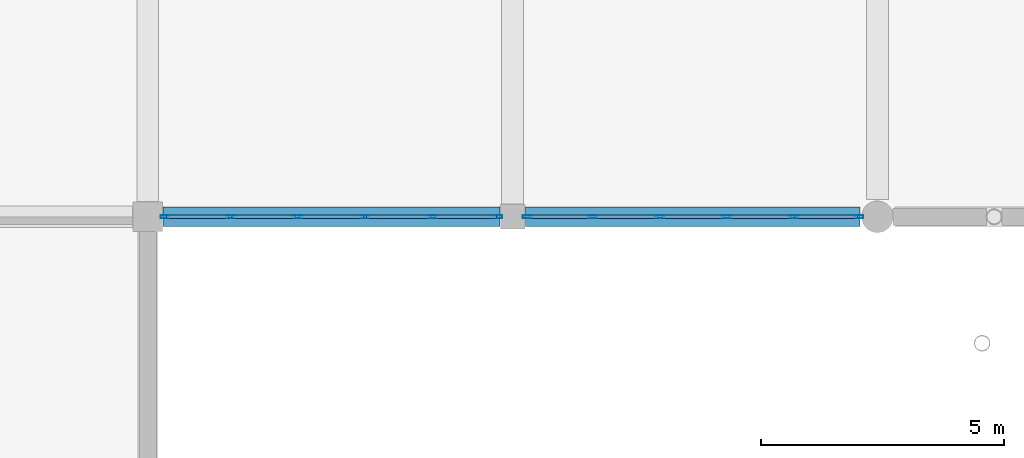
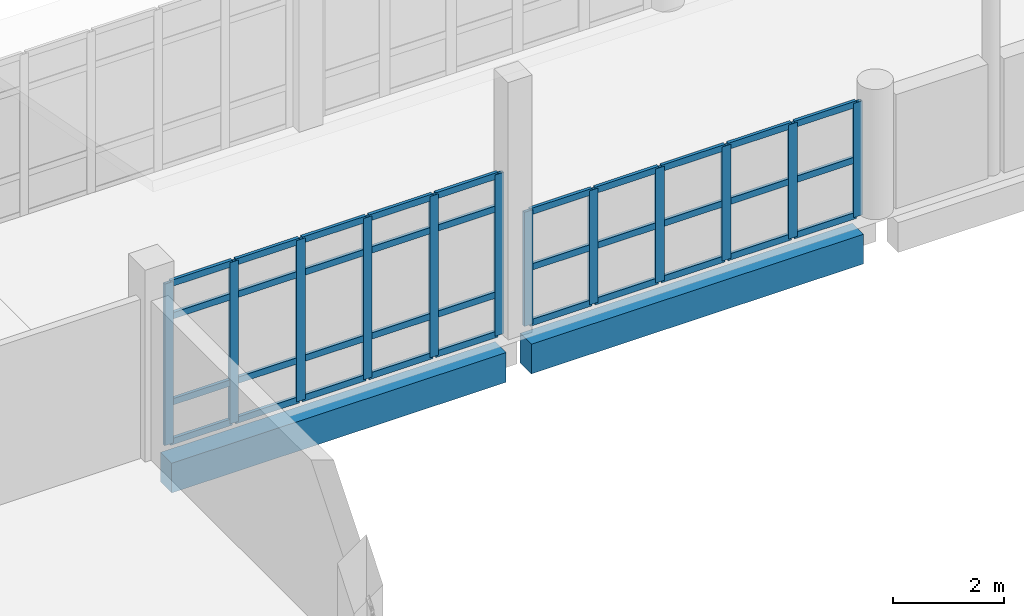
# One storey, part 45 of 164: 47 members, 2 beams, 2 elements without a shape of their own.
"""IFC4 building model written with IfcOpenShell, lengths in metres."""

import ifcopenshell
import ifcopenshell.guid

model = None  # the IFC model being written
_history = None  # IfcOwnerHistory: only IFC2X3 demands one
_inside = {}  # id of a spatial element -> (the spatial element, [elements in it])
_under = {}  # id of a project, library or spatial element -> (it, [spatial elements below it])
_declared = {}  # id of a project -> (the project, [libraries it declares])
_typed = {}  # id of a type object -> (the type object, [elements of that type])
_made_of = {}  # id of a material, layer set ... -> (it, [elements and type objects made of it])


def new_model(schema):
    """Start an empty IFC model of exactly this schema.

    Asked for "IFC4X3", IfcOpenShell would pick the latest addendum, in which some entities
    have other attributes; the version numbers below select the first issue.
    IFC2X3 requires an IfcOwnerHistory on every rooted entity: one is made here for all.
    """
    global model, _history
    if schema == "IFC4X3":
        model = ifcopenshell.file(schema_version=(4, 3, 0, 0))
    else:
        model = ifcopenshell.file(schema=schema)
    _inside.clear()
    _under.clear()
    _declared.clear()
    _typed.clear()
    _made_of.clear()
    _history = None
    if model.schema == "IFC2X3":
        org = make("IfcOrganization", Name="unknown")
        user = make(
            "IfcPersonAndOrganization",
            ThePerson=make("IfcPerson", FamilyName="unknown"),
            TheOrganization=org,
        )
        app = make(
            "IfcApplication",
            ApplicationDeveloper=org,
            Version="unknown",
            ApplicationFullName="unknown",
            ApplicationIdentifier="unknown",
        )
        _history = make(
            "IfcOwnerHistory",
            OwningUser=user,
            OwningApplication=app,
            ChangeAction="ADDED",
            CreationDate=0,
        )
    return model


def make(cls, **values):
    """One entity of the class cls with the attributes given. An attribute that is None is left unset."""
    return model.create_entity(
        cls, **{name: value for name, value in values.items() if value is not None}
    )


def rooted(cls, **values):
    """An entity with a GlobalId (a new one), such as an element, a storey or a relation."""
    return make(cls, GlobalId=ifcopenshell.guid.new(), OwnerHistory=_history, **values)


def si_unit(unit_type, name, prefix=None):
    """IfcSIUnit, for example si_unit("LENGTHUNIT", "METRE", prefix="MILLI")."""
    return make("IfcSIUnit", UnitType=unit_type, Prefix=prefix, Name=name)


def assignment(units):
    """IfcUnitAssignment: the units of a project."""
    return None if units is None else make("IfcUnitAssignment", Units=units)


def point(xyz):
    """IfcCartesianPoint."""
    return None if xyz is None else make("IfcCartesianPoint", Coordinates=xyz)


def direction(xyz):
    """IfcDirection."""
    return None if xyz is None else make("IfcDirection", DirectionRatios=xyz)


def frame(location, z_axis=None, x_axis=None):
    """IfcAxis2Placement3D, a coordinate frame: its origin and axes. An axis left out is left unset."""
    return make(
        "IfcAxis2Placement3D",
        Location=point(location),
        Axis=direction(z_axis),
        RefDirection=direction(x_axis),
    )


def frame_2d(location, x_axis=None):
    """IfcAxis2Placement2D, a coordinate frame in the plane: its origin and x axis."""
    return make(
        "IfcAxis2Placement2D", Location=point(location), RefDirection=direction(x_axis)
    )


def origin():
    """The frame at (0, 0, 0) with its axes left unset."""
    return frame((0.0, 0.0, 0.0))


def origin_2d():
    """The frame at (0, 0) in the plane with its x axis left unset."""
    return frame_2d((0.0, 0.0))


def place(relative_to, where):
    """IfcLocalPlacement: puts the frame where relative to a parent placement (None: the world)."""
    return make(
        "IfcLocalPlacement", PlacementRelTo=relative_to, RelativePlacement=where
    )


def context(
    kind, dimensions, precision=None, world=None, true_north=None, identifier=None
):
    """IfcGeometricRepresentationContext, for example the 3D "Model" context."""
    return make(
        "IfcGeometricRepresentationContext",
        ContextIdentifier=identifier,
        ContextType=kind,
        CoordinateSpaceDimension=dimensions,
        Precision=precision,
        WorldCoordinateSystem=world,
        TrueNorth=true_north,
    )


def subcontext(parent, identifier, kind, view, scale=None):
    """IfcGeometricRepresentationSubContext, for example "Body" below "Model"."""
    return make(
        "IfcGeometricRepresentationSubContext",
        ContextIdentifier=identifier,
        ContextType=kind,
        ParentContext=parent,
        TargetScale=scale,
        TargetView=view,
    )


def project(units=None, contexts=None):
    """IfcProject with its units and contexts."""
    return rooted(
        "IfcProject",
        Name="project",
        RepresentationContexts=contexts,
        UnitsInContext=assignment(units),
    )


def spatial(cls, under=None, at=None, **own):
    """A site, building, storey or space (cls), placed at a placement, below another one or the project."""
    s = rooted(cls, ObjectPlacement=at, **own)
    if under is not None:
        _under.setdefault(under.id(), (under, []))[1].append(s)
    return s


def profile(cls, at=None, kind="AREA", **sizes):
    """A parametric profile (cls). Its sizes go by their IFC names, for example OverallWidth=200.0."""
    return make(cls, ProfileType=kind, Position=at, **sizes)


def rectangle(**sizes):
    """IfcRectangleProfileDef."""
    return profile("IfcRectangleProfileDef", **sizes)


def hollow_rectangle(**sizes):
    """IfcRectangleHollowProfileDef."""
    return profile("IfcRectangleHollowProfileDef", **sizes)


def extrude(swept, where, along, depth):
    """IfcExtrudedAreaSolid: the profile swept, set in the frame where, extruded along a direction by depth."""
    return make(
        "IfcExtrudedAreaSolid",
        SweptArea=swept,
        Position=where,
        ExtrudedDirection=direction(along),
        Depth=depth,
    )


def shape(context_of_items, identifier, shape_type, items):
    """IfcShapeRepresentation: the items that make up one representation, for example the "Body"."""
    return make(
        "IfcShapeRepresentation",
        ContextOfItems=context_of_items,
        RepresentationIdentifier=identifier,
        RepresentationType=shape_type,
        Items=items,
    )


def material(Name=None, Category=None):
    """IfcMaterial."""
    return make("IfcMaterial", Name=Name, Category=Category)


def layer(
    of_material, thickness, ventilated=None, Name=None, Category=None, Priority=None
):
    """IfcMaterialLayer: one layer of a wall or slab, of a material (None: an air gap)."""
    return make(
        "IfcMaterialLayer",
        Material=of_material,
        LayerThickness=thickness,
        IsVentilated=ventilated,
        Name=Name,
        Category=Category,
        Priority=Priority,
    )


def layer_set(layers, Name=None):
    """IfcMaterialLayerSet."""
    return make("IfcMaterialLayerSet", MaterialLayers=layers, LayerSetName=Name)


def material_profile(
    of_material, cross_section, Name=None, Category=None, Priority=None
):
    """IfcMaterialProfile: a cross section and its material."""
    return make(
        "IfcMaterialProfile",
        Name=Name,
        Material=of_material,
        Profile=cross_section,
        Priority=Priority,
        Category=Category,
    )


def profile_set(profiles, Name=None, composite=None):
    """IfcMaterialProfileSet."""
    return make(
        "IfcMaterialProfileSet",
        Name=Name,
        MaterialProfiles=profiles,
        CompositeProfile=composite,
    )


def made_of(thing, what):
    """Note that an element or type object is made of a material, layer set ...; save() writes the relation."""
    if what is not None:
        _made_of.setdefault(what.id(), (what, []))[1].append(thing)
    return thing


def type_object(cls, material=None, **own):
    """A type object (cls), such as IfcWallType, which elements share."""
    return made_of(rooted(cls, **own), material)


def element(
    cls,
    number,
    at=None,
    inside=None,
    cuts=None,
    type_object=None,
    material=None,
    context=None,
    identifier="Body",
    shape_type=None,
    held_by="IfcProductDefinitionShape",
    body=None,
    shapes=None,
    **own,
):
    """One element of the class cls, such as IfcWall. Its Tag is "e" and its number.

    at: its placement. inside: the storey or other place that contains it. cuts: it is an
    opening in that element (IfcRelVoidsElement). A single representation is given by context,
    identifier, shape_type and body (its items); several are given by shapes. held_by: the class
    of the entity that holds the representations. save() writes the other relations.
    """
    e = rooted(cls, Tag="e%d" % number, ObjectPlacement=at, **own)
    if body is not None:
        shapes = [shape(context, identifier, shape_type, body)]
    if shapes is not None:
        e.Representation = make(held_by, Representations=shapes)
    if inside is not None:
        _inside.setdefault(inside.id(), (inside, []))[1].append(e)
    if cuts is not None:
        rooted(
            "IfcRelVoidsElement", RelatingBuildingElement=cuts, RelatedOpeningElement=e
        )
    if type_object is not None:
        _typed.setdefault(type_object.id(), (type_object, []))[1].append(e)
    return made_of(e, material)


def aggregate(whole, parts):
    """IfcRelAggregates: a whole, such as a stair, and the parts it consists of."""
    return rooted("IfcRelAggregates", RelatingObject=whole, RelatedObjects=parts)


def save(model, path):
    """Write the relations noted so far, then the file.

    IfcRelAggregates (storeys below a building ...), IfcRelContainedInSpatialStructure (elements
    in a storey), IfcRelDefinesByType, IfcRelAssociatesMaterial and IfcRelDeclares: one each for
    every whole, place, type object, material and project.
    """
    for whole, parts in _under.values():
        aggregate(whole, parts)
    for where, things in _inside.values():
        rooted(
            "IfcRelContainedInSpatialStructure",
            RelatedElements=things,
            RelatingStructure=where,
        )
    for kind, things in _typed.values():
        rooted("IfcRelDefinesByType", RelatedObjects=things, RelatingType=kind)
    for what, things in _made_of.values():
        rooted("IfcRelAssociatesMaterial", RelatedObjects=things, RelatingMaterial=what)
    for by, libraries in _declared.values():
        rooted("IfcRelDeclares", RelatingContext=by, RelatedDefinitions=libraries)
    model.write(path)


model = new_model("IFC4")

# Units and contexts
model_context = context("Model", 3, precision=1e-05, world=origin(), true_north=direction((0.0, 1.0)))
body_context = subcontext(model_context, "Body", "Model", "MODEL_VIEW")
ifc_project = project(units=[si_unit("LENGTHUNIT", "METRE"), si_unit("AREAUNIT", "SQUARE_METRE"), si_unit("VOLUMEUNIT", "CUBIC_METRE"), si_unit("PLANEANGLEUNIT", "RADIAN"), si_unit("MASSUNIT", "GRAM", prefix="KILO")], contexts=[model_context])

# Site, building, storey
site_placement = place(None, origin())
site = spatial("IfcSite", under=ifc_project, at=site_placement, CompositionType="ELEMENT")
building_placement = place(site_placement, origin())
building = spatial("IfcBuilding", under=site, at=building_placement, Name="Mawjan Specialist Oncology Clinic", CompositionType="ELEMENT")
storey_placement = place(building_placement, frame((0.0, 0.0, 5.0)))
storey = spatial("IfcBuildingStorey", under=building, at=storey_placement, Name="L01", CompositionType="ELEMENT", Elevation=5.0)

# Curtain wall, members
ifc_material_1 = material(Name="Unitised spectrally selective aluminium curtain wall", Category="aluminium")
ifc_layer_1 = layer(ifc_material_1, 0.179931640625, Name="Unitised spectrally selective aluminium curtain wall", Category="aluminium")
ifc_layer_set_1 = layer_set([ifc_layer_1], Name="Unitised spectrally selective aluminium curtain wall")
curtain_wall_type_1 = type_object("IfcCurtainWallType", Name="CW-70", PredefinedType="NOTDEFINED", material=ifc_layer_set_1)
curtain_wall_1_placement = place(storey_placement, origin())
curtain_wall_1 = element("IfcCurtainWall", 1, at=curtain_wall_1_placement, inside=storey, type_object=curtain_wall_type_1, Name="L01 Unitised Curtain Wall CW-L01-138", PredefinedType="NOTDEFINED")
ifc_material_2 = material(Name="Thermally broken aluminium 6063-T6", Category="aluminium")
ifc_material_profile_1 = material_profile(ifc_material_2, hollow_rectangle(XDim=0.06494140625, YDim=0.179931640625, WallThickness=0.00390625, at=origin_2d()), Name="ALU MULLION 180x65x4", Category="aluminium")
ifc_profile_set_1 = profile_set([ifc_material_profile_1], Name="Thermally broken aluminium 6063-T6")
member_type_1 = type_object("IfcMemberType", Name="CW-M180", PredefinedType="MULLION", material=ifc_profile_set_1)
member_1_placement = place(storey_placement, frame((59.62255859375, 45.800048828125, 0.0), z_axis=(0.0, 0.0, 1.0), x_axis=(0.0, -1.0, 0.0)))
member_1 = element("IfcMember", 2, at=member_1_placement, type_object=member_type_1, Name="CW-70 mullion 1", PredefinedType="MULLION", context=body_context, shape_type="SweptSolid", body=[
    extrude(hollow_rectangle(XDim=0.06494140625, YDim=0.179931640625, WallThickness=0.00390625, at=origin_2d()), origin(), (0.0, 0.0, 1.0), 2.5),
])
member_2_placement = place(storey_placement, frame((58.278076171875, 45.800048828125, 0.0), z_axis=(0.0, 0.0, 1.0), x_axis=(0.0, -1.0, 0.0)))
member_2 = element("IfcMember", 3, at=member_2_placement, type_object=member_type_1, Name="CW-70 mullion 2", PredefinedType="MULLION", context=body_context, shape_type="SweptSolid", body=[
    extrude(hollow_rectangle(XDim=0.06494140625, YDim=0.179931640625, WallThickness=0.00390625, at=origin_2d()), origin(), (0.0, 0.0, 1.0), 2.5),
])
member_3_placement = place(storey_placement, frame((56.90087890625, 45.800048828125, 0.0), z_axis=(0.0, 0.0, 1.0), x_axis=(0.0, -1.0, 0.0)))
member_3 = element("IfcMember", 4, at=member_3_placement, type_object=member_type_1, Name="CW-70 mullion 3", PredefinedType="MULLION", context=body_context, shape_type="SweptSolid", body=[
    extrude(hollow_rectangle(XDim=0.06494140625, YDim=0.179931640625, WallThickness=0.00390625, at=origin_2d()), origin(), (0.0, 0.0, 1.0), 2.5),
])
member_4_placement = place(storey_placement, frame((55.52392578125, 45.800048828125, 0.0), z_axis=(0.0, 0.0, 1.0), x_axis=(0.0, -1.0, 0.0)))
member_4 = element("IfcMember", 5, at=member_4_placement, type_object=member_type_1, Name="CW-70 mullion 4", PredefinedType="MULLION", context=body_context, shape_type="SweptSolid", body=[
    extrude(hollow_rectangle(XDim=0.06494140625, YDim=0.179931640625, WallThickness=0.00390625, at=origin_2d()), origin(), (0.0, 0.0, 1.0), 2.5),
])
member_5_placement = place(storey_placement, frame((54.14697265625, 45.800048828125, 0.0), z_axis=(0.0, 0.0, 1.0), x_axis=(0.0, -1.0, 0.0)))
member_5 = element("IfcMember", 6, at=member_5_placement, type_object=member_type_1, Name="CW-70 mullion 5", PredefinedType="MULLION", context=body_context, shape_type="SweptSolid", body=[
    extrude(hollow_rectangle(XDim=0.06494140625, YDim=0.179931640625, WallThickness=0.00390625, at=origin_2d()), origin(), (0.0, 0.0, 1.0), 2.5),
])
member_6_placement = place(storey_placement, frame((52.802490234375, 45.800048828125, 0.0), z_axis=(0.0, 0.0, 1.0), x_axis=(0.0, -1.0, 0.0)))
member_6 = element("IfcMember", 7, at=member_6_placement, type_object=member_type_1, Name="CW-70 mullion 6", PredefinedType="MULLION", context=body_context, shape_type="SweptSolid", body=[
    extrude(hollow_rectangle(XDim=0.06494140625, YDim=0.179931640625, WallThickness=0.00390625, at=origin_2d()), origin(), (0.0, 0.0, 1.0), 2.5),
])

ifc_material_3 = material(Name="Unitised spectrally selective aluminium curtain wall", Category="aluminium")
ifc_layer_2 = layer(ifc_material_3, 0.179931640625, Name="Unitised spectrally selective aluminium curtain wall", Category="aluminium")
ifc_layer_set_2 = layer_set([ifc_layer_2], Name="Unitised spectrally selective aluminium curtain wall")
curtain_wall_type_2 = type_object("IfcCurtainWallType", Name="CW-71", PredefinedType="NOTDEFINED", material=ifc_layer_set_2)
curtain_wall_2_placement = place(storey_placement, origin())
curtain_wall_2 = element("IfcCurtainWall", 8, at=curtain_wall_2_placement, inside=storey, type_object=curtain_wall_type_2, Name="L01 Unitised Curtain Wall CW-L01-139", PredefinedType="NOTDEFINED")
member_7_placement = place(storey_placement, frame((52.197509765625, 45.800048828125, 0.0), z_axis=(0.0, 0.0, 1.0), x_axis=(0.0, -1.0, 0.0)))
member_7 = element("IfcMember", 9, at=member_7_placement, type_object=member_type_1, Name="CW-71 mullion 1", PredefinedType="MULLION", context=body_context, shape_type="SweptSolid", body=[
    extrude(hollow_rectangle(XDim=0.06494140625, YDim=0.179931640625, WallThickness=0.00390625, at=origin_2d()), origin(), (0.0, 0.0, 1.0), 3.534912109375),
])
member_8_placement = place(storey_placement, frame((50.847900390625, 45.800048828125, 0.0), z_axis=(0.0, 0.0, 1.0), x_axis=(0.0, -1.0, 0.0)))
member_8 = element("IfcMember", 10, at=member_8_placement, type_object=member_type_1, Name="CW-71 mullion 2", PredefinedType="MULLION", context=body_context, shape_type="SweptSolid", body=[
    extrude(hollow_rectangle(XDim=0.06494140625, YDim=0.179931640625, WallThickness=0.00390625, at=origin_2d()), origin(), (0.0, 0.0, 1.0), 3.534912109375),
])
member_9_placement = place(storey_placement, frame((49.466064453125, 45.800048828125, 0.0), z_axis=(0.0, 0.0, 1.0), x_axis=(0.0, -1.0, 0.0)))
member_9 = element("IfcMember", 11, at=member_9_placement, type_object=member_type_1, Name="CW-71 mullion 3", PredefinedType="MULLION", context=body_context, shape_type="SweptSolid", body=[
    extrude(hollow_rectangle(XDim=0.06494140625, YDim=0.179931640625, WallThickness=0.00390625, at=origin_2d()), origin(), (0.0, 0.0, 1.0), 3.534912109375),
])
member_10_placement = place(storey_placement, frame((48.083984375, 45.800048828125, 0.0), z_axis=(0.0, 0.0, 1.0), x_axis=(0.0, -1.0, 0.0)))
member_10 = element("IfcMember", 12, at=member_10_placement, type_object=member_type_1, Name="CW-71 mullion 4", PredefinedType="MULLION", context=body_context, shape_type="SweptSolid", body=[
    extrude(hollow_rectangle(XDim=0.06494140625, YDim=0.179931640625, WallThickness=0.00390625, at=origin_2d()), origin(), (0.0, 0.0, 1.0), 3.534912109375),
])
member_11_placement = place(storey_placement, frame((46.701904296875, 45.800048828125, 0.0), z_axis=(0.0, 0.0, 1.0), x_axis=(0.0, -1.0, 0.0)))
member_11 = element("IfcMember", 13, at=member_11_placement, type_object=member_type_1, Name="CW-71 mullion 5", PredefinedType="MULLION", context=body_context, shape_type="SweptSolid", body=[
    extrude(hollow_rectangle(XDim=0.06494140625, YDim=0.179931640625, WallThickness=0.00390625, at=origin_2d()), origin(), (0.0, 0.0, 1.0), 3.534912109375),
])
member_12_placement = place(storey_placement, frame((45.3525390625, 45.800048828125, 0.0), z_axis=(0.0, 0.0, 1.0), x_axis=(0.0, -1.0, 0.0)))
member_12 = element("IfcMember", 14, at=member_12_placement, type_object=member_type_1, Name="CW-71 mullion 6", PredefinedType="MULLION", context=body_context, shape_type="SweptSolid", body=[
    extrude(hollow_rectangle(XDim=0.06494140625, YDim=0.179931640625, WallThickness=0.00390625, at=origin_2d()), origin(), (0.0, 0.0, 1.0), 3.534912109375),
])

# Member
ifc_material_4 = material(Name="Thermally broken aluminium 6063-T6", Category="aluminium")
ifc_material_profile_2 = material_profile(ifc_material_4, hollow_rectangle(XDim=0.06494140625, YDim=0.139892578125, WallThickness=0.00390625, at=origin_2d()), Name="ALU TRANSOM 140x65x4", Category="aluminium")
ifc_profile_set_2 = profile_set([ifc_material_profile_2], Name="Thermally broken aluminium 6063-T6")
member_type_2 = type_object("IfcMemberType", Name="CW-T140", PredefinedType="USERDEFINED", material=ifc_profile_set_2)
member_13_placement = place(storey_placement, frame((59.590087890625, 45.800048828125, 0.032470703125), z_axis=(-1.0, 0.0, 0.0), x_axis=(0.0, -1.0, 0.0)))
member_13 = element("IfcMember", 15, at=member_13_placement, type_object=member_type_2, Name="CW-70 transom 1.1", ObjectType="TRANSOM", PredefinedType="USERDEFINED", context=body_context, shape_type="SweptSolid", body=[
    extrude(hollow_rectangle(XDim=0.06494140625, YDim=0.139892578125, WallThickness=0.00390625, at=origin_2d()), origin(), (0.0, 0.0, 1.0), 1.279541015625),
])

member_14_placement = place(storey_placement, frame((59.590087890625, 45.800048828125, 1.25), z_axis=(-1.0, 0.0, 0.0), x_axis=(0.0, -1.0, 0.0)))
member_14 = element("IfcMember", 16, at=member_14_placement, type_object=member_type_2, Name="CW-70 transom 1.2", ObjectType="TRANSOM", PredefinedType="USERDEFINED", context=body_context, shape_type="SweptSolid", body=[
    extrude(hollow_rectangle(XDim=0.06494140625, YDim=0.139892578125, WallThickness=0.00390625, at=origin_2d()), origin(), (0.0, 0.0, 1.0), 1.279541015625),
])

member_15_placement = place(storey_placement, frame((59.590087890625, 45.800048828125, 2.467529296875), z_axis=(-1.0, 0.0, 0.0), x_axis=(0.0, -1.0, 0.0)))
member_15 = element("IfcMember", 17, at=member_15_placement, type_object=member_type_2, Name="CW-70 transom 1.3", ObjectType="TRANSOM", PredefinedType="USERDEFINED", context=body_context, shape_type="SweptSolid", body=[
    extrude(hollow_rectangle(XDim=0.06494140625, YDim=0.139892578125, WallThickness=0.00390625, at=origin_2d()), origin(), (0.0, 0.0, 1.0), 1.279541015625),
])

member_16_placement = place(storey_placement, frame((58.24560546875, 45.800048828125, 0.032470703125), z_axis=(-1.0, 0.0, 0.0), x_axis=(0.0, -1.0, 0.0)))
member_16 = element("IfcMember", 18, at=member_16_placement, type_object=member_type_2, Name="CW-70 transom 2.1", ObjectType="TRANSOM", PredefinedType="USERDEFINED", context=body_context, shape_type="SweptSolid", body=[
    extrude(hollow_rectangle(XDim=0.06494140625, YDim=0.139892578125, WallThickness=0.00390625, at=origin_2d()), origin(), (0.0, 0.0, 1.0), 1.31201171875),
])

member_17_placement = place(storey_placement, frame((58.24560546875, 45.800048828125, 1.25), z_axis=(-1.0, 0.0, 0.0), x_axis=(0.0, -1.0, 0.0)))
member_17 = element("IfcMember", 19, at=member_17_placement, type_object=member_type_2, Name="CW-70 transom 2.2", ObjectType="TRANSOM", PredefinedType="USERDEFINED", context=body_context, shape_type="SweptSolid", body=[
    extrude(hollow_rectangle(XDim=0.06494140625, YDim=0.139892578125, WallThickness=0.00390625, at=origin_2d()), origin(), (0.0, 0.0, 1.0), 1.31201171875),
])

member_18_placement = place(storey_placement, frame((58.24560546875, 45.800048828125, 2.467529296875), z_axis=(-1.0, 0.0, 0.0), x_axis=(0.0, -1.0, 0.0)))
member_18 = element("IfcMember", 20, at=member_18_placement, type_object=member_type_2, Name="CW-70 transom 2.3", ObjectType="TRANSOM", PredefinedType="USERDEFINED", context=body_context, shape_type="SweptSolid", body=[
    extrude(hollow_rectangle(XDim=0.06494140625, YDim=0.139892578125, WallThickness=0.00390625, at=origin_2d()), origin(), (0.0, 0.0, 1.0), 1.31201171875),
])

member_19_placement = place(storey_placement, frame((56.868408203125, 45.800048828125, 0.032470703125), z_axis=(-1.0, 0.0, 0.0), x_axis=(0.0, -1.0, 0.0)))
member_19 = element("IfcMember", 21, at=member_19_placement, type_object=member_type_2, Name="CW-70 transom 3.1", ObjectType="TRANSOM", PredefinedType="USERDEFINED", context=body_context, shape_type="SweptSolid", body=[
    extrude(hollow_rectangle(XDim=0.06494140625, YDim=0.139892578125, WallThickness=0.00390625, at=origin_2d()), origin(), (0.0, 0.0, 1.0), 1.31201171875),
])

member_20_placement = place(storey_placement, frame((56.868408203125, 45.800048828125, 1.25), z_axis=(-1.0, 0.0, 0.0), x_axis=(0.0, -1.0, 0.0)))
member_20 = element("IfcMember", 22, at=member_20_placement, type_object=member_type_2, Name="CW-70 transom 3.2", ObjectType="TRANSOM", PredefinedType="USERDEFINED", context=body_context, shape_type="SweptSolid", body=[
    extrude(hollow_rectangle(XDim=0.06494140625, YDim=0.139892578125, WallThickness=0.00390625, at=origin_2d()), origin(), (0.0, 0.0, 1.0), 1.31201171875),
])

member_21_placement = place(storey_placement, frame((56.868408203125, 45.800048828125, 2.467529296875), z_axis=(-1.0, 0.0, 0.0), x_axis=(0.0, -1.0, 0.0)))
member_21 = element("IfcMember", 23, at=member_21_placement, type_object=member_type_2, Name="CW-70 transom 3.3", ObjectType="TRANSOM", PredefinedType="USERDEFINED", context=body_context, shape_type="SweptSolid", body=[
    extrude(hollow_rectangle(XDim=0.06494140625, YDim=0.139892578125, WallThickness=0.00390625, at=origin_2d()), origin(), (0.0, 0.0, 1.0), 1.31201171875),
])

member_22_placement = place(storey_placement, frame((55.491455078125, 45.800048828125, 0.032470703125), z_axis=(-1.0, 0.0, 0.0), x_axis=(0.0, -1.0, 0.0)))
member_22 = element("IfcMember", 24, at=member_22_placement, type_object=member_type_2, Name="CW-70 transom 4.1", ObjectType="TRANSOM", PredefinedType="USERDEFINED", context=body_context, shape_type="SweptSolid", body=[
    extrude(hollow_rectangle(XDim=0.06494140625, YDim=0.139892578125, WallThickness=0.00390625, at=origin_2d()), origin(), (0.0, 0.0, 1.0), 1.31201171875),
])

member_23_placement = place(storey_placement, frame((55.491455078125, 45.800048828125, 1.25), z_axis=(-1.0, 0.0, 0.0), x_axis=(0.0, -1.0, 0.0)))
member_23 = element("IfcMember", 25, at=member_23_placement, type_object=member_type_2, Name="CW-70 transom 4.2", ObjectType="TRANSOM", PredefinedType="USERDEFINED", context=body_context, shape_type="SweptSolid", body=[
    extrude(hollow_rectangle(XDim=0.06494140625, YDim=0.139892578125, WallThickness=0.00390625, at=origin_2d()), origin(), (0.0, 0.0, 1.0), 1.31201171875),
])

member_24_placement = place(storey_placement, frame((55.491455078125, 45.800048828125, 2.467529296875), z_axis=(-1.0, 0.0, 0.0), x_axis=(0.0, -1.0, 0.0)))
member_24 = element("IfcMember", 26, at=member_24_placement, type_object=member_type_2, Name="CW-70 transom 4.3", ObjectType="TRANSOM", PredefinedType="USERDEFINED", context=body_context, shape_type="SweptSolid", body=[
    extrude(hollow_rectangle(XDim=0.06494140625, YDim=0.139892578125, WallThickness=0.00390625, at=origin_2d()), origin(), (0.0, 0.0, 1.0), 1.31201171875),
])

member_25_placement = place(storey_placement, frame((54.114501953125, 45.800048828125, 0.032470703125), z_axis=(-1.0, 0.0, 0.0), x_axis=(0.0, -1.0, 0.0)))
member_25 = element("IfcMember", 27, at=member_25_placement, type_object=member_type_2, Name="CW-70 transom 5.1", ObjectType="TRANSOM", PredefinedType="USERDEFINED", context=body_context, shape_type="SweptSolid", body=[
    extrude(hollow_rectangle(XDim=0.06494140625, YDim=0.139892578125, WallThickness=0.00390625, at=origin_2d()), origin(), (0.0, 0.0, 1.0), 1.279541015625),
])

member_26_placement = place(storey_placement, frame((54.114501953125, 45.800048828125, 1.25), z_axis=(-1.0, 0.0, 0.0), x_axis=(0.0, -1.0, 0.0)))
member_26 = element("IfcMember", 28, at=member_26_placement, type_object=member_type_2, Name="CW-70 transom 5.2", ObjectType="TRANSOM", PredefinedType="USERDEFINED", context=body_context, shape_type="SweptSolid", body=[
    extrude(hollow_rectangle(XDim=0.06494140625, YDim=0.139892578125, WallThickness=0.00390625, at=origin_2d()), origin(), (0.0, 0.0, 1.0), 1.279541015625),
])

member_27_placement = place(storey_placement, frame((54.114501953125, 45.800048828125, 2.467529296875), z_axis=(-1.0, 0.0, 0.0), x_axis=(0.0, -1.0, 0.0)))
member_27 = element("IfcMember", 29, at=member_27_placement, type_object=member_type_2, Name="CW-70 transom 5.3", ObjectType="TRANSOM", PredefinedType="USERDEFINED", context=body_context, shape_type="SweptSolid", body=[
    extrude(hollow_rectangle(XDim=0.06494140625, YDim=0.139892578125, WallThickness=0.00390625, at=origin_2d()), origin(), (0.0, 0.0, 1.0), 1.279541015625),
])

aggregate(curtain_wall_1, [member_1, member_2, member_3, member_4, member_5, member_6, member_13, member_14, member_15, member_16, member_17, member_18, member_19, member_20, member_21, member_22, member_23, member_24, member_25, member_26, member_27])

member_28_placement = place(storey_placement, frame((52.1650390625, 45.800048828125, 0.032470703125), z_axis=(-1.0, 0.0, 0.0), x_axis=(0.0, -1.0, 0.0)))
member_28 = element("IfcMember", 30, at=member_28_placement, type_object=member_type_2, Name="CW-71 transom 1.1", ObjectType="TRANSOM", PredefinedType="USERDEFINED", context=body_context, shape_type="SweptSolid", body=[
    extrude(hollow_rectangle(XDim=0.06494140625, YDim=0.139892578125, WallThickness=0.00390625, at=origin_2d()), origin(), (0.0, 0.0, 1.0), 1.284423828125),
])

member_29_placement = place(storey_placement, frame((52.1650390625, 45.800048828125, 0.89990234375), z_axis=(-1.0, 0.0, 0.0), x_axis=(0.0, -1.0, 0.0)))
member_29 = element("IfcMember", 31, at=member_29_placement, type_object=member_type_2, Name="CW-71 transom 1.2", ObjectType="TRANSOM", PredefinedType="USERDEFINED", context=body_context, shape_type="SweptSolid", body=[
    extrude(hollow_rectangle(XDim=0.06494140625, YDim=0.139892578125, WallThickness=0.00390625, at=origin_2d()), origin(), (0.0, 0.0, 1.0), 1.284423828125),
])

member_30_placement = place(storey_placement, frame((52.1650390625, 45.800048828125, 2.784912109375), z_axis=(-1.0, 0.0, 0.0), x_axis=(0.0, -1.0, 0.0)))
member_30 = element("IfcMember", 32, at=member_30_placement, type_object=member_type_2, Name="CW-71 transom 1.3", ObjectType="TRANSOM", PredefinedType="USERDEFINED", context=body_context, shape_type="SweptSolid", body=[
    extrude(hollow_rectangle(XDim=0.06494140625, YDim=0.139892578125, WallThickness=0.00390625, at=origin_2d()), origin(), (0.0, 0.0, 1.0), 1.284423828125),
])

member_31_placement = place(storey_placement, frame((52.1650390625, 45.800048828125, 3.50244140625), z_axis=(-1.0, 0.0, 0.0), x_axis=(0.0, -1.0, 0.0)))
member_31 = element("IfcMember", 33, at=member_31_placement, type_object=member_type_2, Name="CW-71 transom 1.4", ObjectType="TRANSOM", PredefinedType="USERDEFINED", context=body_context, shape_type="SweptSolid", body=[
    extrude(hollow_rectangle(XDim=0.06494140625, YDim=0.139892578125, WallThickness=0.00390625, at=origin_2d()), origin(), (0.0, 0.0, 1.0), 1.284423828125),
])

member_32_placement = place(storey_placement, frame((50.8154296875, 45.800048828125, 0.032470703125), z_axis=(-1.0, 0.0, 0.0), x_axis=(0.0, -1.0, 0.0)))
member_32 = element("IfcMember", 34, at=member_32_placement, type_object=member_type_2, Name="CW-71 transom 2.1", ObjectType="TRANSOM", PredefinedType="USERDEFINED", context=body_context, shape_type="SweptSolid", body=[
    extrude(hollow_rectangle(XDim=0.06494140625, YDim=0.139892578125, WallThickness=0.00390625, at=origin_2d()), origin(), (0.0, 0.0, 1.0), 1.31689453125),
])

member_33_placement = place(storey_placement, frame((50.8154296875, 45.800048828125, 0.89990234375), z_axis=(-1.0, 0.0, 0.0), x_axis=(0.0, -1.0, 0.0)))
member_33 = element("IfcMember", 35, at=member_33_placement, type_object=member_type_2, Name="CW-71 transom 2.2", ObjectType="TRANSOM", PredefinedType="USERDEFINED", context=body_context, shape_type="SweptSolid", body=[
    extrude(hollow_rectangle(XDim=0.06494140625, YDim=0.139892578125, WallThickness=0.00390625, at=origin_2d()), origin(), (0.0, 0.0, 1.0), 1.31689453125),
])

member_34_placement = place(storey_placement, frame((50.8154296875, 45.800048828125, 2.784912109375), z_axis=(-1.0, 0.0, 0.0), x_axis=(0.0, -1.0, 0.0)))
member_34 = element("IfcMember", 36, at=member_34_placement, type_object=member_type_2, Name="CW-71 transom 2.3", ObjectType="TRANSOM", PredefinedType="USERDEFINED", context=body_context, shape_type="SweptSolid", body=[
    extrude(hollow_rectangle(XDim=0.06494140625, YDim=0.139892578125, WallThickness=0.00390625, at=origin_2d()), origin(), (0.0, 0.0, 1.0), 1.31689453125),
])

member_35_placement = place(storey_placement, frame((50.8154296875, 45.800048828125, 3.50244140625), z_axis=(-1.0, 0.0, 0.0), x_axis=(0.0, -1.0, 0.0)))
member_35 = element("IfcMember", 37, at=member_35_placement, type_object=member_type_2, Name="CW-71 transom 2.4", ObjectType="TRANSOM", PredefinedType="USERDEFINED", context=body_context, shape_type="SweptSolid", body=[
    extrude(hollow_rectangle(XDim=0.06494140625, YDim=0.139892578125, WallThickness=0.00390625, at=origin_2d()), origin(), (0.0, 0.0, 1.0), 1.31689453125),
])

member_36_placement = place(storey_placement, frame((49.43359375, 45.800048828125, 0.032470703125), z_axis=(-1.0, 0.0, 0.0), x_axis=(0.0, -1.0, 0.0)))
member_36 = element("IfcMember", 38, at=member_36_placement, type_object=member_type_2, Name="CW-71 transom 3.1", ObjectType="TRANSOM", PredefinedType="USERDEFINED", context=body_context, shape_type="SweptSolid", body=[
    extrude(hollow_rectangle(XDim=0.06494140625, YDim=0.139892578125, WallThickness=0.00390625, at=origin_2d()), origin(), (0.0, 0.0, 1.0), 1.317138671875),
])

member_37_placement = place(storey_placement, frame((49.43359375, 45.800048828125, 0.89990234375), z_axis=(-1.0, 0.0, 0.0), x_axis=(0.0, -1.0, 0.0)))
member_37 = element("IfcMember", 39, at=member_37_placement, type_object=member_type_2, Name="CW-71 transom 3.2", ObjectType="TRANSOM", PredefinedType="USERDEFINED", context=body_context, shape_type="SweptSolid", body=[
    extrude(hollow_rectangle(XDim=0.06494140625, YDim=0.139892578125, WallThickness=0.00390625, at=origin_2d()), origin(), (0.0, 0.0, 1.0), 1.317138671875),
])

member_38_placement = place(storey_placement, frame((49.43359375, 45.800048828125, 2.784912109375), z_axis=(-1.0, 0.0, 0.0), x_axis=(0.0, -1.0, 0.0)))
member_38 = element("IfcMember", 40, at=member_38_placement, type_object=member_type_2, Name="CW-71 transom 3.3", ObjectType="TRANSOM", PredefinedType="USERDEFINED", context=body_context, shape_type="SweptSolid", body=[
    extrude(hollow_rectangle(XDim=0.06494140625, YDim=0.139892578125, WallThickness=0.00390625, at=origin_2d()), origin(), (0.0, 0.0, 1.0), 1.317138671875),
])

member_39_placement = place(storey_placement, frame((49.43359375, 45.800048828125, 3.50244140625), z_axis=(-1.0, 0.0, 0.0), x_axis=(0.0, -1.0, 0.0)))
member_39 = element("IfcMember", 41, at=member_39_placement, type_object=member_type_2, Name="CW-71 transom 3.4", ObjectType="TRANSOM", PredefinedType="USERDEFINED", context=body_context, shape_type="SweptSolid", body=[
    extrude(hollow_rectangle(XDim=0.06494140625, YDim=0.139892578125, WallThickness=0.00390625, at=origin_2d()), origin(), (0.0, 0.0, 1.0), 1.317138671875),
])

member_40_placement = place(storey_placement, frame((48.051513671875, 45.800048828125, 0.032470703125), z_axis=(-1.0, 0.0, 0.0), x_axis=(0.0, -1.0, 0.0)))
member_40 = element("IfcMember", 42, at=member_40_placement, type_object=member_type_2, Name="CW-71 transom 4.1", ObjectType="TRANSOM", PredefinedType="USERDEFINED", context=body_context, shape_type="SweptSolid", body=[
    extrude(hollow_rectangle(XDim=0.06494140625, YDim=0.139892578125, WallThickness=0.00390625, at=origin_2d()), origin(), (0.0, 0.0, 1.0), 1.31689453125),
])

member_41_placement = place(storey_placement, frame((48.051513671875, 45.800048828125, 0.89990234375), z_axis=(-1.0, 0.0, 0.0), x_axis=(0.0, -1.0, 0.0)))
member_41 = element("IfcMember", 43, at=member_41_placement, type_object=member_type_2, Name="CW-71 transom 4.2", ObjectType="TRANSOM", PredefinedType="USERDEFINED", context=body_context, shape_type="SweptSolid", body=[
    extrude(hollow_rectangle(XDim=0.06494140625, YDim=0.139892578125, WallThickness=0.00390625, at=origin_2d()), origin(), (0.0, 0.0, 1.0), 1.31689453125),
])

member_42_placement = place(storey_placement, frame((48.051513671875, 45.800048828125, 2.784912109375), z_axis=(-1.0, 0.0, 0.0), x_axis=(0.0, -1.0, 0.0)))
member_42 = element("IfcMember", 44, at=member_42_placement, type_object=member_type_2, Name="CW-71 transom 4.3", ObjectType="TRANSOM", PredefinedType="USERDEFINED", context=body_context, shape_type="SweptSolid", body=[
    extrude(hollow_rectangle(XDim=0.06494140625, YDim=0.139892578125, WallThickness=0.00390625, at=origin_2d()), origin(), (0.0, 0.0, 1.0), 1.31689453125),
])

member_43_placement = place(storey_placement, frame((48.051513671875, 45.800048828125, 3.50244140625), z_axis=(-1.0, 0.0, 0.0), x_axis=(0.0, -1.0, 0.0)))
member_43 = element("IfcMember", 45, at=member_43_placement, type_object=member_type_2, Name="CW-71 transom 4.4", ObjectType="TRANSOM", PredefinedType="USERDEFINED", context=body_context, shape_type="SweptSolid", body=[
    extrude(hollow_rectangle(XDim=0.06494140625, YDim=0.139892578125, WallThickness=0.00390625, at=origin_2d()), origin(), (0.0, 0.0, 1.0), 1.31689453125),
])

member_44_placement = place(storey_placement, frame((46.66943359375, 45.800048828125, 0.032470703125), z_axis=(-1.0, 0.0, 0.0), x_axis=(0.0, -1.0, 0.0)))
member_44 = element("IfcMember", 46, at=member_44_placement, type_object=member_type_2, Name="CW-71 transom 5.1", ObjectType="TRANSOM", PredefinedType="USERDEFINED", context=body_context, shape_type="SweptSolid", body=[
    extrude(hollow_rectangle(XDim=0.06494140625, YDim=0.139892578125, WallThickness=0.00390625, at=origin_2d()), origin(), (0.0, 0.0, 1.0), 1.284423828125),
])

member_45_placement = place(storey_placement, frame((46.66943359375, 45.800048828125, 0.89990234375), z_axis=(-1.0, 0.0, 0.0), x_axis=(0.0, -1.0, 0.0)))
member_45 = element("IfcMember", 47, at=member_45_placement, type_object=member_type_2, Name="CW-71 transom 5.2", ObjectType="TRANSOM", PredefinedType="USERDEFINED", context=body_context, shape_type="SweptSolid", body=[
    extrude(hollow_rectangle(XDim=0.06494140625, YDim=0.139892578125, WallThickness=0.00390625, at=origin_2d()), origin(), (0.0, 0.0, 1.0), 1.284423828125),
])

member_46_placement = place(storey_placement, frame((46.66943359375, 45.800048828125, 2.784912109375), z_axis=(-1.0, 0.0, 0.0), x_axis=(0.0, -1.0, 0.0)))
member_46 = element("IfcMember", 48, at=member_46_placement, type_object=member_type_2, Name="CW-71 transom 5.3", ObjectType="TRANSOM", PredefinedType="USERDEFINED", context=body_context, shape_type="SweptSolid", body=[
    extrude(hollow_rectangle(XDim=0.06494140625, YDim=0.139892578125, WallThickness=0.00390625, at=origin_2d()), origin(), (0.0, 0.0, 1.0), 1.284423828125),
])

member_47_placement = place(storey_placement, frame((46.66943359375, 45.800048828125, 3.50244140625), z_axis=(-1.0, 0.0, 0.0), x_axis=(0.0, -1.0, 0.0)))
member_47 = element("IfcMember", 49, at=member_47_placement, type_object=member_type_2, Name="CW-71 transom 5.4", ObjectType="TRANSOM", PredefinedType="USERDEFINED", context=body_context, shape_type="SweptSolid", body=[
    extrude(hollow_rectangle(XDim=0.06494140625, YDim=0.139892578125, WallThickness=0.00390625, at=origin_2d()), origin(), (0.0, 0.0, 1.0), 1.284423828125),
])

aggregate(curtain_wall_2, [member_7, member_8, member_9, member_10, member_11, member_12, member_28, member_29, member_30, member_31, member_32, member_33, member_34, member_35, member_36, member_37, member_38, member_39, member_40, member_41, member_42, member_43, member_44, member_45, member_46, member_47])

# Beams
ifc_material_5 = material(Name="Concrete C45/55", Category="concrete")
ifc_material_profile_3 = material_profile(ifc_material_5, rectangle(XDim=0.39990234375, YDim=0.64990234375, at=origin_2d()), Name="RC BM 400x650", Category="concrete")
ifc_profile_set_3 = profile_set([ifc_material_profile_3], Name="Concrete C45/55")
beam_type = type_object("IfcBeamType", Name="SP-400x650", PredefinedType="SPANDREL", material=ifc_profile_set_3)
beam_1_placement = place(storey_placement, frame((45.31005859375, 45.800048828125, -0.625), z_axis=(1.0, 0.0, 0.0), x_axis=(0.0, 1.0, 0.0)))
element("IfcBeam", 50, at=beam_1_placement, inside=storey, type_object=beam_type, Name="L01 Spandrel Beam BM-L01-0262", PredefinedType="SPANDREL", context=body_context, shape_type="SweptSolid", body=[
    extrude(rectangle(XDim=0.39990234375, YDim=0.64990234375, at=origin_2d()), origin(), (0.0, 0.0, 1.0), 6.929931640625),
])
beam_2_placement = place(storey_placement, frame((52.760009765625, 45.800048828125, -0.625), z_axis=(1.0, 0.0, 0.0), x_axis=(0.0, 1.0, 0.0)))
element("IfcBeam", 51, at=beam_2_placement, inside=storey, type_object=beam_type, Name="L01 Spandrel Beam BM-L01-0263", PredefinedType="SPANDREL", context=body_context, shape_type="SweptSolid", body=[
    extrude(rectangle(XDim=0.39990234375, YDim=0.64990234375, at=origin_2d()), origin(), (0.0, 0.0, 1.0), 6.8798828125),
])

save(model, "model.ifc")
